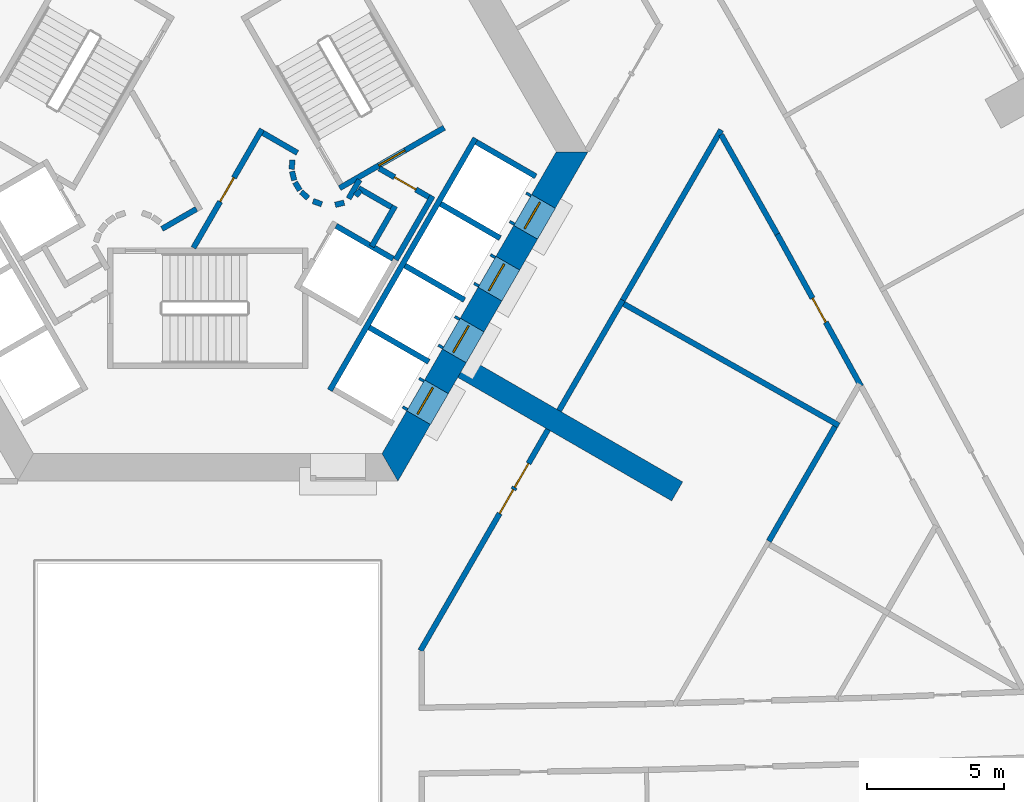
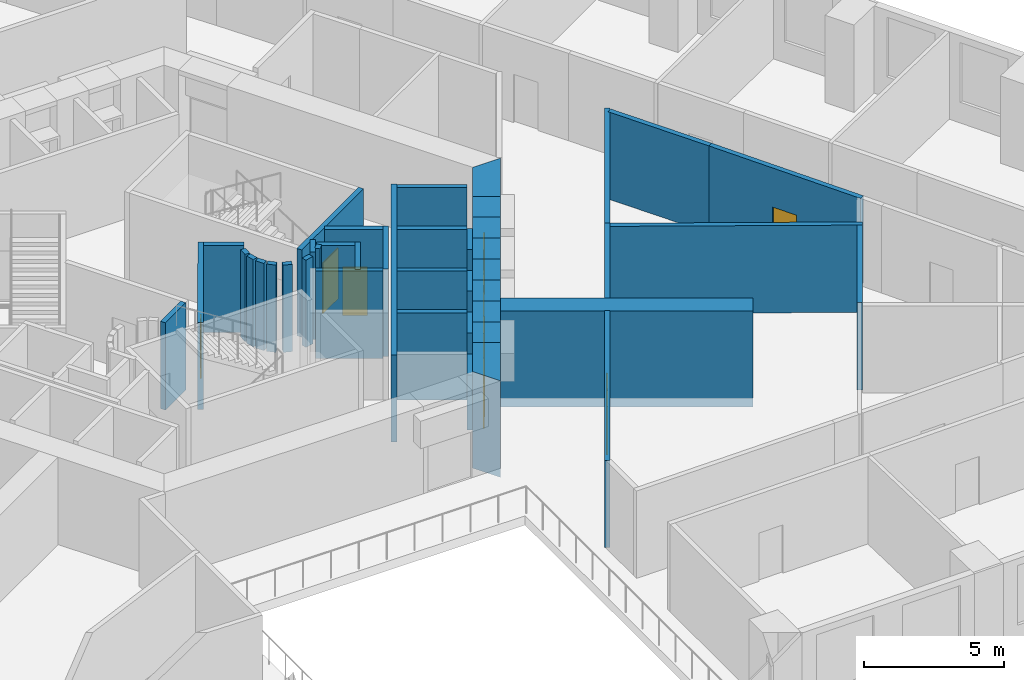
# One storey, part 7 of 16: 43 walls, 10 doors, 10 openings.
"""IFC4 building model written with IfcOpenShell, lengths in metres."""

from ifc_helpers import new_model, si_unit, direction, frame, frame_2d, origin, place, context, subcontext, project, spatial, polyline, rectangle, outline, extrude, material, layer, layer_set, type_object, element, fill, save


model = new_model("IFC4")

# Units and contexts
model_context = context("Model", 3, precision=1e-05, world=origin(), true_north=direction((0.0, 1.0)))
body_context = subcontext(model_context, "Body", "Model", "MODEL_VIEW")
ifc_project = project(units=[si_unit("LENGTHUNIT", "METRE"), si_unit("AREAUNIT", "SQUARE_METRE"), si_unit("VOLUMEUNIT", "CUBIC_METRE"), si_unit("PLANEANGLEUNIT", "RADIAN"), si_unit("MASSUNIT", "GRAM", prefix="KILO")], contexts=[model_context])

# Site, building, storey
site_placement = place(None, origin())
site = spatial("IfcSite", under=ifc_project, at=site_placement, CompositionType="ELEMENT")
building_placement = place(site_placement, origin())
building = spatial("IfcBuilding", under=site, at=building_placement, Name="Entoto Arch Interchange Tower", CompositionType="ELEMENT")
storey_placement = place(building_placement, frame((0.0, 0.0, 43.39990234375)))
storey = spatial("IfcBuildingStorey", under=building, at=storey_placement, Name="L08", CompositionType="ELEMENT", Elevation=43.39990234375)

# Walls
ifc_material_1 = material(Name="Concrete C60/75", Category="concrete")
ifc_layer_1 = layer(ifc_material_1, 0.800048828125)
ifc_layer_set_1 = layer_set([ifc_layer_1], Name="Concrete C60/75")
wall_type_1 = type_object("IfcWallType", Name="Buttress wall 800 C60/75", PredefinedType="SHEAR", material=ifc_layer_set_1)
wall_1_placement = place(storey_placement, frame((9.31005859375, -5.375, -0.39990234375), z_axis=(0.0, 0.0, 1.0), x_axis=(0.866017533419, -0.500013631625, 0.0)))
element("IfcWall", 1, at=wall_1_placement, inside=storey, type_object=wall_type_1, Name="Buttress wall SE L08", PredefinedType="SHEAR", context=body_context, shape_type="SweptSolid", body=[
    extrude(rectangle(XDim=8.999755859375, YDim=0.800048828125, at=frame_2d((4.5, 0.0))), origin(), (0.0, 0.0, 1.0), 4.199951171875),
])
ifc_layer_2 = layer(ifc_material_1, 1.0)
ifc_layer_set_2 = layer_set([ifc_layer_2], Name="Concrete C60/75")
wall_type_2 = type_object("IfcWallType", Name="Core wall 1000 C60/75", PredefinedType="SHEAR", material=ifc_layer_set_2)
wall_2_placement = place(storey_placement, frame((0.0, 0.0, -0.39990234375)))
element("IfcWall", 2, at=wall_2_placement, inside=storey, type_object=wall_type_2, Name="Core wall SE L08", PredefinedType="SHEAR", context=body_context, shape_type="SweptSolid", body=[
    extrude(outline(polyline([(8.116943359375, -7.43994140625), (7.251953125, -6.93994140625), (6.35107421875, -8.5), (6.927978515625, -9.5), (8.116943359375, -7.43994140625)])), origin(), (0.0, 0.0, 1.0), 4.199951171875),
])
wall_3_placement = place(storey_placement, frame((0.0, 0.0, -0.39990234375)))
element("IfcWall", 3, at=wall_3_placement, inside=storey, type_object=wall_type_2, Name="Core wall SE L08", PredefinedType="SHEAR", context=body_context, shape_type="SweptSolid", body=[
    extrude(outline(polyline([(9.4169921875, -5.18896484375), (8.551025390625, -4.68896484375), (7.902099609375, -5.81396484375), (8.76708984375, -6.31396484375), (9.4169921875, -5.18896484375)])), origin(), (0.0, 0.0, 1.0), 4.199951171875),
])
wall_4_placement = place(storey_placement, frame((0.0, 0.0, -0.39990234375)))
element("IfcWall", 4, at=wall_4_placement, inside=storey, type_object=wall_type_2, Name="Core wall SE L08", PredefinedType="SHEAR", context=body_context, shape_type="SweptSolid", body=[
    extrude(outline(polyline([(10.717041015625, -2.93701171875), (9.85107421875, -2.43701171875), (9.200927734375, -3.56298828125), (10.06689453125, -4.06298828125), (10.717041015625, -2.93701171875)])), origin(), (0.0, 0.0, 1.0), 4.199951171875),
])
wall_5_placement = place(storey_placement, frame((0.0, 0.0, -0.39990234375)))
element("IfcWall", 5, at=wall_5_placement, inside=storey, type_object=wall_type_2, Name="Core wall SE L08", PredefinedType="SHEAR", context=body_context, shape_type="SweptSolid", body=[
    extrude(outline(polyline([(12.01708984375, -0.68603515625), (11.15087890625, -0.18603515625), (10.5009765625, -1.31103515625), (11.366943359375, -1.81103515625), (12.01708984375, -0.68603515625)])), origin(), (0.0, 0.0, 1.0), 4.199951171875),
])
wall_6_placement = place(storey_placement, frame((0.0, 0.0, -0.39990234375)))
element("IfcWall", 6, at=wall_6_placement, inside=storey, type_object=wall_type_2, Name="Core wall SE L08", PredefinedType="SHEAR", context=body_context, shape_type="SweptSolid", body=[
    extrude(outline(polyline([(11.801025390625, 0.93994140625), (12.6669921875, 0.43994140625), (13.85595703125, 2.5), (12.701904296875, 2.5), (11.801025390625, 0.93994140625)])), origin(), (0.0, 0.0, 1.0), 4.199951171875),
])
wall_7_placement = place(storey_placement, frame((0.0, 0.0, 3.60009765625)))
element("IfcWall", 7, at=wall_7_placement, inside=storey, type_object=wall_type_2, Name="Core wall lintel SE L08", PredefinedType="SHEAR", context=body_context, shape_type="SweptSolid", body=[
    extrude(outline(polyline([(8.76708984375, -6.31396484375), (7.902099609375, -5.81396484375), (7.251953125, -6.93994140625), (8.116943359375, -7.43994140625), (8.76708984375, -6.31396484375)])), origin(), (0.0, 0.0, 1.0), 0.199951171875),
])
wall_8_placement = place(storey_placement, frame((0.0, 0.0, 3.60009765625)))
element("IfcWall", 8, at=wall_8_placement, inside=storey, type_object=wall_type_2, Name="Core wall lintel SE L08", PredefinedType="SHEAR", context=body_context, shape_type="SweptSolid", body=[
    extrude(outline(polyline([(10.06689453125, -4.06298828125), (9.200927734375, -3.56298828125), (8.551025390625, -4.68896484375), (9.4169921875, -5.18896484375), (10.06689453125, -4.06298828125)])), origin(), (0.0, 0.0, 1.0), 0.199951171875),
])
wall_9_placement = place(storey_placement, frame((0.0, 0.0, 3.60009765625)))
element("IfcWall", 9, at=wall_9_placement, inside=storey, type_object=wall_type_2, Name="Core wall lintel SE L08", PredefinedType="SHEAR", context=body_context, shape_type="SweptSolid", body=[
    extrude(outline(polyline([(11.366943359375, -1.81103515625), (10.5009765625, -1.31103515625), (9.85107421875, -2.43701171875), (10.717041015625, -2.93701171875), (11.366943359375, -1.81103515625)])), origin(), (0.0, 0.0, 1.0), 0.199951171875),
])
wall_10_placement = place(storey_placement, frame((0.0, 0.0, 3.60009765625)))
element("IfcWall", 10, at=wall_10_placement, inside=storey, type_object=wall_type_2, Name="Core wall lintel SE L08", PredefinedType="SHEAR", context=body_context, shape_type="SweptSolid", body=[
    extrude(outline(polyline([(12.6669921875, 0.43994140625), (11.801025390625, 0.93994140625), (11.15087890625, -0.18603515625), (12.01708984375, -0.68603515625), (12.6669921875, 0.43994140625)])), origin(), (0.0, 0.0, 1.0), 0.199951171875),
])

# Wall, opening, door
ifc_material_2 = material(Name="Concrete C40/50", Category="concrete")
ifc_layer_3 = layer(ifc_material_2, 1.199951171875)
ifc_layer_set_3 = layer_set([ifc_layer_3], Name="Concrete C40/50")
wall_type_3 = type_object("IfcWallType", Name="LIFT LANDING INFILL WALL", PredefinedType="STANDARD", material=ifc_layer_set_3)
wall_11_placement = place(storey_placement, frame((7.597900390625, -7.139892578125, 0.0), z_axis=(0.0, 0.0, 1.0), x_axis=(0.500362116554, 0.865816234728, 0.0)))
wall_11 = element("IfcWall", 11, at=wall_11_placement, inside=storey, type_object=wall_type_3, Name="Lift landing infill wall LR5 L08", PredefinedType="STANDARD", context=body_context, shape_type="SweptSolid", body=[
    extrude(rectangle(XDim=1.29931640625, YDim=1.199951171875, at=frame_2d((0.649658203125, 0.0))), origin(), (0.0, 0.0, 1.0), 2.400146484375),
])
opening_1_placement = place(wall_11_placement, frame((0.10009765625, 0.0, 0.0)))
opening_1 = element("IfcOpeningElement", 12, at=opening_1_placement, cuts=wall_11, Name="Opening LD-LR5-L08", PredefinedType="OPENING", context=body_context, shape_type="SweptSolid", body=[
    extrude(rectangle(XDim=1.10009765625, YDim=2.300048828125, at=frame_2d((0.550048828125, 1.14990234375))), frame((0.0, 0.60986328125, 0.0), z_axis=(0.0, -1.0, 0.0), x_axis=(1.0, 0.0, 0.0)), (0.0, 0.0, 1.0), 1.219970703125),
])
ifc_material_3 = material(Name="Stainless steel 1.4301 panels", Category="steel")
door_type_1 = type_object("IfcDoorType", Name="LIFT LANDING DOOR LD2 1100x2300", OperationType="SLIDING_TO_LEFT", PredefinedType="DOOR", material=ifc_material_3)
door_1_placement = place(opening_1_placement, origin())
door_1 = element("IfcDoor", 13, at=door_1_placement, inside=storey, type_object=door_type_1, Name="Lift landing door LR5 L08", OperationType="SLIDING_TO_LEFT", OverallHeight=2.300048828125, OverallWidth=1.10009765625, PredefinedType="DOOR", context=body_context, shape_type="SweptSolid", body=[
    extrude(rectangle(XDim=1.10009765625, YDim=2.300048828125, at=frame_2d((0.550048828125, 1.14990234375))), frame((0.0, 0.02490234375, 0.0), z_axis=(0.0, -1.0, 0.0), x_axis=(1.0, 0.0, 0.0)), (0.0, 0.0, 1.0), 0.050048828125),
])
fill(opening_1, door_1)

wall_12_placement = place(storey_placement, frame((8.89794921875, -4.888916015625, 0.0), z_axis=(0.0, 0.0, 1.0), x_axis=(0.500036693733, 0.866004217611, 0.0)))
wall_12 = element("IfcWall", 14, at=wall_12_placement, inside=storey, type_object=wall_type_3, Name="Lift landing infill wall LR6 L08", PredefinedType="STANDARD", context=body_context, shape_type="SweptSolid", body=[
    extrude(rectangle(XDim=1.30029296875, YDim=1.199951171875, at=frame_2d((0.650146484375, 0.0))), origin(), (0.0, 0.0, 1.0), 2.400146484375),
])
opening_2_placement = place(wall_12_placement, frame((0.10009765625, 0.0, 0.0)))
opening_2 = element("IfcOpeningElement", 15, at=opening_2_placement, cuts=wall_12, Name="Opening LD-LR6-L08", PredefinedType="OPENING", context=body_context, shape_type="SweptSolid", body=[
    extrude(rectangle(XDim=1.10009765625, YDim=2.300048828125, at=frame_2d((0.550048828125, 1.14990234375))), frame((0.0, 0.60986328125, 0.0), z_axis=(0.0, -1.0, 0.0), x_axis=(1.0, 0.0, 0.0)), (0.0, 0.0, 1.0), 1.219970703125),
])
door_2_placement = place(opening_2_placement, origin())
door_2 = element("IfcDoor", 16, at=door_2_placement, inside=storey, type_object=door_type_1, Name="Lift landing door LR6 L08", OperationType="SLIDING_TO_LEFT", OverallHeight=2.300048828125, OverallWidth=1.10009765625, PredefinedType="DOOR", context=body_context, shape_type="SweptSolid", body=[
    extrude(rectangle(XDim=1.10009765625, YDim=2.300048828125, at=frame_2d((0.550048828125, 1.14990234375))), frame((0.0, 0.02490234375, 0.0), z_axis=(0.0, -1.0, 0.0), x_axis=(1.0, 0.0, 0.0)), (0.0, 0.0, 1.0), 0.050048828125),
])
fill(opening_2, door_2)

wall_13_placement = place(storey_placement, frame((10.197998046875, -2.636962890625, 0.0), z_axis=(0.0, 0.0, 1.0), x_axis=(0.49989585183, 0.866085525409, 0.0)))
wall_13 = element("IfcWall", 17, at=wall_13_placement, inside=storey, type_object=wall_type_3, Name="Lift landing infill wall LR7 L08", PredefinedType="STANDARD", context=body_context, shape_type="SweptSolid", body=[
    extrude(rectangle(XDim=1.300048828125, YDim=1.199951171875, at=frame_2d((0.64990234375, 0.0))), origin(), (0.0, 0.0, 1.0), 2.400146484375),
])
opening_3_placement = place(wall_13_placement, frame((0.10009765625, 0.0, 0.0)))
opening_3 = element("IfcOpeningElement", 18, at=opening_3_placement, cuts=wall_13, Name="Opening LD-LR7-L08", PredefinedType="OPENING", context=body_context, shape_type="SweptSolid", body=[
    extrude(rectangle(XDim=1.10009765625, YDim=2.300048828125, at=frame_2d((0.550048828125, 1.14990234375))), frame((0.0, 0.60986328125, 0.0), z_axis=(0.0, -1.0, 0.0), x_axis=(1.0, 0.0, 0.0)), (0.0, 0.0, 1.0), 1.219970703125),
])
door_3_placement = place(opening_3_placement, origin())
door_3 = element("IfcDoor", 19, at=door_3_placement, inside=storey, type_object=door_type_1, Name="Lift landing door LR7 L08", OperationType="SLIDING_TO_LEFT", OverallHeight=2.300048828125, OverallWidth=1.10009765625, PredefinedType="DOOR", context=body_context, shape_type="SweptSolid", body=[
    extrude(rectangle(XDim=1.10009765625, YDim=2.300048828125, at=frame_2d((0.550048828125, 1.14990234375))), frame((0.0, 0.02490234375, 0.0), z_axis=(0.0, -1.0, 0.0), x_axis=(1.0, 0.0, 0.0)), (0.0, 0.0, 1.0), 0.050048828125),
])
fill(opening_3, door_3)

wall_14_placement = place(storey_placement, frame((11.498046875, -0.385009765625, 0.0), z_axis=(0.0, 0.0, 1.0), x_axis=(0.500221244143, 0.865897630733, 0.0)))
wall_14 = element("IfcWall", 20, at=wall_14_placement, inside=storey, type_object=wall_type_3, Name="Lift landing infill wall LR8 L08", PredefinedType="STANDARD", context=body_context, shape_type="SweptSolid", body=[
    extrude(rectangle(XDim=1.29931640625, YDim=1.199951171875, at=frame_2d((0.649658203125, 0.0))), origin(), (0.0, 0.0, 1.0), 2.400146484375),
])
opening_4_placement = place(wall_14_placement, frame((0.10009765625, 0.0, 0.0)))
opening_4 = element("IfcOpeningElement", 21, at=opening_4_placement, cuts=wall_14, Name="Opening LD-LR8-L08", PredefinedType="OPENING", context=body_context, shape_type="SweptSolid", body=[
    extrude(rectangle(XDim=1.10009765625, YDim=2.300048828125, at=frame_2d((0.550048828125, 1.14990234375))), frame((0.0, 0.60986328125, 0.0), z_axis=(0.0, -1.0, 0.0), x_axis=(1.0, 0.0, 0.0)), (0.0, 0.0, 1.0), 1.219970703125),
])
door_4_placement = place(opening_4_placement, origin())
door_4 = element("IfcDoor", 22, at=door_4_placement, inside=storey, type_object=door_type_1, Name="Lift landing door LR8 L08", OperationType="SLIDING_TO_LEFT", OverallHeight=2.300048828125, OverallWidth=1.10009765625, PredefinedType="DOOR", context=body_context, shape_type="SweptSolid", body=[
    extrude(rectangle(XDim=1.10009765625, YDim=2.300048828125, at=frame_2d((0.550048828125, 1.14990234375))), frame((0.0, 0.02490234375, 0.0), z_axis=(0.0, -1.0, 0.0), x_axis=(1.0, 0.0, 0.0)), (0.0, 0.0, 1.0), 0.050048828125),
])
fill(opening_4, door_4)

# Walls
ifc_layer_4 = layer(ifc_material_2, 0.199951171875)
ifc_layer_set_4 = layer_set([ifc_layer_4], Name="Concrete C40/50")
wall_type_4 = type_object("IfcWallType", Name="LIFT SHAFT WALL 200", PredefinedType="STANDARD", material=ifc_layer_set_4)
wall_15_placement = place(storey_placement, frame((4.677001953125, -0.199951171875, 0.0), z_axis=(0.0, 0.0, 1.0), x_axis=(0.865973769406, -0.500089422704, 0.0)))
element("IfcWall", 23, at=wall_15_placement, inside=storey, type_object=wall_type_4, Name="Shaft wall SE1 cross 2", PredefinedType="STANDARD", context=body_context, shape_type="SweptSolid", body=[
    extrude(rectangle(XDim=2.3994140625, YDim=0.199951171875, at=frame_2d((1.19970703125, 0.0))), origin(), (0.0, 0.0, 1.0), 3.800048828125),
])
wall_16_placement = place(storey_placement, frame((4.450927734375, -6.18994140625, 0.0), z_axis=(0.0, 0.0, 1.0), x_axis=(0.50000090737, 0.866024879913, 0.0)))
element("IfcWall", 24, at=wall_16_placement, inside=storey, type_object=wall_type_4, Name="Shaft wall SE3 front", PredefinedType="STANDARD", context=body_context, shape_type="SweptSolid", body=[
    extrude(rectangle(XDim=10.60009765625, YDim=0.199951171875, at=frame_2d((5.300048828125, 0.0))), origin(), (0.0, 0.0, 1.0), 3.800048828125),
])
for number, where, z_axis, x_axis, name in (
    (25, (5.887939453125, -3.902099609375, 0.0), (0.0, 0.0, 1.0), (0.866022959057, -0.500004234368, 0.0), "Shaft wall SE3 cross 2"),
    (26, (7.18798828125, -1.64990234375, 0.0), (0.0, 0.0, 1.0), (0.866022959057, -0.500004234368, 0.0), "Shaft wall SE3 cross 3"),
    (27, (8.488037109375, 0.60205078125, 0.0), (0.0, 0.0, 1.0), (0.866022959057, -0.500004234368, 0.0), "Shaft wall SE3 cross 4"),
):
    element("IfcWall", number, at=place(storey_placement, frame(where, z_axis=z_axis, x_axis=x_axis)), inside=storey, type_object=wall_type_4, Name=name, PredefinedType="STANDARD", context=body_context, shape_type="SweptSolid", body=[
        extrude(rectangle(XDim=2.5, YDim=0.199951171875, at=frame_2d((1.25, 0.0))), origin(), (0.0, 0.0, 1.0), 3.800048828125),
    ])
wall_17_placement = place(storey_placement, frame((9.7880859375, 2.85302734375, 0.0), z_axis=(0.0, 0.0, 1.0), x_axis=(0.865998541277, -0.500046524342, 0.0)))
element("IfcWall", 28, at=wall_17_placement, inside=storey, type_object=wall_type_4, Name="Shaft wall SE3 cross 5", PredefinedType="STANDARD", context=body_context, shape_type="SweptSolid", body=[
    extrude(rectangle(XDim=2.499755859375, YDim=0.199951171875, at=frame_2d((1.25, 0.0))), origin(), (0.0, 0.0, 1.0), 3.800048828125),
])

# Wall, opening, door
ifc_material_4 = material(Name="Gypsum board partition on steel studs", Category="steel")
ifc_layer_5 = layer(ifc_material_4, 0.199951171875)
ifc_layer_set_5 = layer_set([ifc_layer_5], Name="Gypsum board partition on steel studs")
wall_type_5 = type_object("IfcWallType", Name="PARTITION 200", PredefinedType="PARTITIONING", material=ifc_layer_set_5)
wall_18_placement = place(storey_placement, frame((23.802978515625, -6.0439453125, 0.0), z_axis=(0.0, 0.0, 1.0), x_axis=(-0.482588436287, 0.875847247619, 0.0)))
wall_18 = element("IfcWall", 29, at=wall_18_placement, inside=storey, type_object=wall_type_5, Name="wall:L08:p016", PredefinedType="PARTITIONING", context=body_context, shape_type="SweptSolid", body=[
    extrude(rectangle(XDim=6.32421875, YDim=0.199951171875, at=frame_2d((3.162109375, 0.0))), origin(), (0.0, 0.0, 1.0), 3.800048828125),
])
opening_5_placement = place(wall_18_placement, frame((2.662109375, 0.0, 0.0)))
opening_5 = element("IfcOpeningElement", 30, at=opening_5_placement, cuts=wall_18, Name="Opening L08-D24", PredefinedType="OPENING", context=body_context, shape_type="SweptSolid", body=[
    extrude(rectangle(XDim=1.0, YDim=2.10009765625, at=frame_2d((0.5, 1.050048828125))), frame((0.0, 0.10986328125, 0.0), z_axis=(0.0, -1.0, 0.0), x_axis=(1.0, 0.0, 0.0)), (0.0, 0.0, 1.0), 0.219970703125),
])
ifc_material_5 = material(Name="Timber door leaf in Steel S235 frame", Category="steel")
door_type_2 = type_object("IfcDoorType", Name="DOOR DS-10 1000x2100", OperationType="SINGLE_SWING_LEFT", PredefinedType="DOOR", material=ifc_material_5)
door_5_placement = place(opening_5_placement, origin())
door_5 = element("IfcDoor", 31, at=door_5_placement, inside=storey, type_object=door_type_2, Name="door:L08:24", OperationType="SINGLE_SWING_LEFT", OverallHeight=2.10009765625, OverallWidth=1.0, PredefinedType="DOOR", context=body_context, shape_type="SweptSolid", body=[
    extrude(rectangle(XDim=1.0, YDim=2.10009765625, at=frame_2d((0.5, 1.050048828125))), frame((0.0, 0.02490234375, 0.0), z_axis=(0.0, -1.0, 0.0), x_axis=(1.0, 0.0, 0.0)), (0.0, 0.0, 1.0), 0.050048828125),
])
fill(opening_5, door_5)

# Walls
wall_19_placement = place(storey_placement, frame((20.7509765625, -0.5048828125, 0.0), z_axis=(0.0, 0.0, 1.0), x_axis=(-0.491284712602, 0.870999041999, 0.0)))
element("IfcWall", 32, at=wall_19_placement, inside=storey, type_object=wall_type_5, Name="wall:L08:p017", PredefinedType="PARTITIONING", context=body_context, shape_type="SweptSolid", body=[
    extrude(rectangle(XDim=4.166259765625, YDim=0.199951171875, at=frame_2d((2.0830078125, 0.0))), origin(), (0.0, 0.0, 1.0), 3.800048828125),
])
wall_20_placement = place(storey_placement, frame((5.389892578125, 0.89794921875, 0.0), z_axis=(0.0, 0.0, 1.0), x_axis=(0.673828488714, 0.738887791073, 0.0)))
element("IfcWall", 33, at=wall_20_placement, inside=storey, type_object=wall_type_5, Name="wall:L08:p073", PredefinedType="PARTITIONING", context=body_context, shape_type="SweptSolid", body=[
    extrude(rectangle(XDim=0.2626953125, YDim=0.199951171875, at=frame_2d((0.13134765625, 0.0))), origin(), (0.0, 0.0, 1.0), 3.800048828125),
])
wall_21_placement = place(storey_placement, frame((5.4990234375, 1.172119140625, 0.0), z_axis=(0.0, 0.0, 1.0), x_axis=(0.866333505267, -0.499465972466, 0.0)))
element("IfcWall", 34, at=wall_21_placement, inside=storey, type_object=wall_type_5, Name="wall:L08:p074", PredefinedType="PARTITIONING", context=body_context, shape_type="SweptSolid", body=[
    extrude(rectangle(XDim=1.37353515625, YDim=0.199951171875, at=frame_2d((0.686767578125, 0.0))), origin(), (0.0, 0.0, 1.0), 3.800048828125),
])
wall_22_placement = place(storey_placement, frame((6.825927734375, 0.52197265625, 0.0), z_axis=(0.0, 0.0, 1.0), x_axis=(-0.500016722714, -0.866015748706, 0.0)))
element("IfcWall", 35, at=wall_22_placement, inside=storey, type_object=wall_type_5, Name="wall:L08:p075", PredefinedType="PARTITIONING", context=body_context, shape_type="SweptSolid", body=[
    extrude(rectangle(XDim=1.69970703125, YDim=0.199951171875, at=frame_2d((0.849853515625, 0.0))), origin(), (0.0, 0.0, 1.0), 3.800048828125),
])

# Wall, opening, door
wall_23_placement = place(storey_placement, frame((6.25, 1.89404296875, 0.0), z_axis=(0.0, 0.0, 1.0), x_axis=(0.866043184279, -0.499969202016, 0.0)))
wall_23 = element("IfcWall", 36, at=wall_23_placement, inside=storey, type_object=wall_type_5, Name="wall:L08:p076", PredefinedType="PARTITIONING", context=body_context, shape_type="SweptSolid", body=[
    extrude(rectangle(XDim=2.084228515625, YDim=0.199951171875, at=frame_2d((1.0419921875, 0.0))), origin(), (0.0, 0.0, 1.0), 3.800048828125),
])
opening_6_placement = place(wall_23_placement, frame((0.64208984375, 0.0, 0.0)))
opening_6 = element("IfcOpeningElement", 37, at=opening_6_placement, cuts=wall_23, Name="Opening L08-D40", PredefinedType="OPENING", context=body_context, shape_type="SweptSolid", body=[
    extrude(rectangle(XDim=0.89990234375, YDim=2.10009765625, at=frame_2d((0.449951171875, 1.050048828125))), frame((0.0, 0.10986328125, 0.0), z_axis=(0.0, -1.0, 0.0), x_axis=(1.0, 0.0, 0.0)), (0.0, 0.0, 1.0), 0.219970703125),
])
door_type_3 = type_object("IfcDoorType", Name="DOOR DS-09 900x2100", OperationType="SINGLE_SWING_LEFT", PredefinedType="DOOR", material=ifc_material_5)
door_6_placement = place(opening_6_placement, origin())
door_6 = element("IfcDoor", 38, at=door_6_placement, inside=storey, type_object=door_type_3, Name="door:L08:40", OperationType="SINGLE_SWING_LEFT", OverallHeight=2.10009765625, OverallWidth=0.89990234375, PredefinedType="DOOR", context=body_context, shape_type="SweptSolid", body=[
    extrude(rectangle(XDim=0.89990234375, YDim=2.10009765625, at=frame_2d((0.449951171875, 1.050048828125))), frame((0.0, 0.02490234375, 0.0), z_axis=(0.0, -1.0, 0.0), x_axis=(1.0, 0.0, 0.0)), (0.0, 0.0, 1.0), 0.050048828125),
])
fill(opening_6, door_6)

# Walls
wall_24_placement = place(storey_placement, frame((8.19189453125, 0.887939453125, 0.0), z_axis=(0.0, 0.0, 1.0), x_axis=(-0.499940625693, -0.866059680843, 0.0)))
element("IfcWall", 39, at=wall_24_placement, inside=storey, type_object=wall_type_5, Name="wall:L08:p077", PredefinedType="PARTITIONING", context=body_context, shape_type="SweptSolid", body=[
    extrude(rectangle(XDim=2.679931640625, YDim=0.199951171875, at=frame_2d((1.33984375, 0.0))), origin(), (0.0, 0.0, 1.0), 3.800048828125),
])
wall_25_placement = place(storey_placement, frame((5.135009765625, 0.79296875, 0.0), z_axis=(0.0, 0.0, 1.0), x_axis=(0.499526442893, 0.866298639529, 0.0)))
element("IfcWall", 40, at=wall_25_placement, inside=storey, type_object=wall_type_5, Name="wall:L08:p078", PredefinedType="PARTITIONING", context=body_context, shape_type="SweptSolid", body=[
    extrude(rectangle(XDim=0.790771484375, YDim=0.199951171875, at=frame_2d((0.3955078125, 0.0))), origin(), (0.0, 0.0, 1.0), 3.800048828125),
])

# Wall, opening, door
wall_26_placement = place(storey_placement, frame((-0.52001953125, -1.0, 0.0), z_axis=(0.0, 0.0, 1.0), x_axis=(0.50011622646, 0.865958290007, 0.0)))
wall_26 = element("IfcWall", 41, at=wall_26_placement, inside=storey, type_object=wall_type_5, Name="wall:L08:p088", PredefinedType="PARTITIONING", context=body_context, shape_type="SweptSolid", body=[
    extrude(rectangle(XDim=4.990966796875, YDim=0.199951171875, at=frame_2d((2.49560546875, 0.0))), origin(), (0.0, 0.0, 1.0), 3.800048828125),
])
opening_7_placement = place(wall_26_placement, frame((1.945068359375, 0.0, 0.0)))
opening_7 = element("IfcOpeningElement", 42, at=opening_7_placement, cuts=wall_26, Name="Opening L08-D38", PredefinedType="OPENING", context=body_context, shape_type="SweptSolid", body=[
    extrude(rectangle(XDim=1.0, YDim=2.10009765625, at=frame_2d((0.5, 1.050048828125))), frame((0.0, 0.10986328125, 0.0), z_axis=(0.0, -1.0, 0.0), x_axis=(1.0, 0.0, 0.0)), (0.0, 0.0, 1.0), 0.219970703125),
])
ifc_material_6 = material(Name="Fire-rated Steel S235 door and frame", Category="steel")
door_type_4 = type_object("IfcDoorType", Name="DOOR FD-10 1000x2100", OperationType="SINGLE_SWING_LEFT", PredefinedType="DOOR", material=ifc_material_6)
door_7_placement = place(opening_7_placement, origin())
door_7 = element("IfcDoor", 43, at=door_7_placement, inside=storey, type_object=door_type_4, Name="door:L08:38", OperationType="SINGLE_SWING_LEFT", OverallHeight=2.10009765625, OverallWidth=1.0, PredefinedType="DOOR", context=body_context, shape_type="SweptSolid", body=[
    extrude(rectangle(XDim=1.0, YDim=2.10009765625, at=frame_2d((0.5, 1.050048828125))), frame((0.0, 0.02490234375, 0.0), z_axis=(0.0, -1.0, 0.0), x_axis=(1.0, 0.0, 0.0)), (0.0, 0.0, 1.0), 0.050048828125),
])
fill(opening_7, door_7)

# Walls
wall_27_placement = place(storey_placement, frame((2.011962890625, 3.18603515625, 0.0), z_axis=(0.0, 0.0, 1.0), x_axis=(0.865891012941, -0.500232699559, 0.0)))
element("IfcWall", 44, at=wall_27_placement, inside=storey, type_object=wall_type_5, Name="wall:L08:p089", PredefinedType="PARTITIONING", context=body_context, shape_type="SweptSolid", body=[
    extrude(rectangle(XDim=1.449462890625, YDim=0.199951171875, at=frame_2d((0.724609375, 0.0))), origin(), (0.0, 0.0, 1.0), 3.800048828125),
])
wall_28_placement = place(storey_placement, frame((3.0791015625, 2.198974609375, 0.0), z_axis=(0.0, 0.0, 1.0), x_axis=(-0.047771483479, -0.998858290933, 0.0)))
element("IfcWall", 45, at=wall_28_placement, inside=storey, type_object=wall_type_5, Name="wall:L08:p090", PredefinedType="PARTITIONING", context=body_context, shape_type="SweptSolid", body=[
    extrude(rectangle(XDim=0.33740234375, YDim=0.199951171875, at=frame_2d((0.168701171875, 0.0))), origin(), (0.0, 0.0, 1.0), 3.800048828125),
])
wall_29_placement = place(storey_placement, frame((3.070068359375, 1.785888671875, 0.0), z_axis=(0.0, 0.0, 1.0), x_axis=(0.242705583207, -0.970099994784, 0.0)))
element("IfcWall", 46, at=wall_29_placement, inside=storey, type_object=wall_type_5, Name="wall:L08:p091", PredefinedType="PARTITIONING", context=body_context, shape_type="SweptSolid", body=[
    extrude(rectangle(XDim=0.337890625, YDim=0.199951171875, at=frame_2d((0.1689453125, 0.0))), origin(), (0.0, 0.0, 1.0), 3.800048828125),
])
for number, where, z_axis, x_axis, name in (
    (47, (3.181884765625, 1.387939453125, 0.0), (0.0, 0.0, 1.0), (0.512474702713, -0.85870232274, 0.0), "wall:L08:p092"),
    (48, (3.404052734375, 1.0390625, 0.0), (0.0, 0.0, 1.0), (0.740267097712, -0.672312891476, 0.0), "wall:L08:p093"),
):
    element("IfcWall", number, at=place(storey_placement, frame(where, z_axis=z_axis, x_axis=x_axis)), inside=storey, type_object=wall_type_5, Name=name, PredefinedType="PARTITIONING", context=body_context, shape_type="SweptSolid", body=[
        extrude(rectangle(XDim=0.337646484375, YDim=0.199951171875, at=frame_2d((0.1689453125, 0.0))), origin(), (0.0, 0.0, 1.0), 3.800048828125),
    ])
wall_30_placement = place(storey_placement, frame((3.837890625, 0.701904296875, 0.0), z_axis=(0.0, 0.0, 1.0), x_axis=(0.941035081519, -0.338308993895, 0.0)))
element("IfcWall", 49, at=wall_30_placement, inside=storey, type_object=wall_type_5, Name="wall:L08:p094", PredefinedType="PARTITIONING", context=body_context, shape_type="SweptSolid", body=[
    extrude(rectangle(XDim=0.3369140625, YDim=0.199951171875, at=frame_2d((0.16845703125, 0.0))), origin(), (0.0, 0.0, 1.0), 3.800048828125),
])
wall_31_placement = place(storey_placement, frame((4.64404296875, 0.56396484375, 0.0), z_axis=(0.0, 0.0, 1.0), x_axis=(0.969929076366, 0.243387729394, 0.0)))
element("IfcWall", 50, at=wall_31_placement, inside=storey, type_object=wall_type_5, Name="wall:L08:p095", PredefinedType="PARTITIONING", context=body_context, shape_type="SweptSolid", body=[
    extrude(rectangle(XDim=0.337158203125, YDim=0.199951171875, at=frame_2d((0.16845703125, 0.0))), origin(), (0.0, 0.0, 1.0), 3.800048828125),
])
wall_32_placement = place(storey_placement, frame((-0.412109375, 0.4140625, 0.0), z_axis=(0.0, 0.0, 1.0), x_axis=(-0.866017369001, -0.500013916395, 0.0)))
element("IfcWall", 51, at=wall_32_placement, inside=storey, type_object=wall_type_5, Name="wall:L08:p097", PredefinedType="PARTITIONING", context=body_context, shape_type="SweptSolid", body=[
    extrude(rectangle(XDim=1.4501953125, YDim=0.199951171875, at=frame_2d((0.72509765625, 0.0))), origin(), (0.0, 0.0, 1.0), 3.800048828125),
])
wall_33_placement = place(storey_placement, frame((15.1220703125, -2.907958984375, 0.0), z_axis=(0.0, 0.0, 1.0), x_axis=(-0.499922740561, -0.866070004948, 0.0)))
element("IfcWall", 52, at=wall_33_placement, inside=storey, type_object=wall_type_5, Name="wall:L08:p111", PredefinedType="PARTITIONING", context=body_context, shape_type="SweptSolid", body=[
    extrude(rectangle(XDim=4.642822265625, YDim=0.199951171875, at=frame_2d((2.3212890625, 0.0))), origin(), (0.0, 0.0, 1.0), 3.800048828125),
])
wall_34_placement = place(storey_placement, frame((18.705078125, 3.298095703125, 0.0), z_axis=(0.0, 0.0, 1.0), x_axis=(-0.499993769413, -0.866029000986, 0.0)))
element("IfcWall", 53, at=wall_34_placement, inside=storey, type_object=wall_type_5, Name="wall:L08:p112", PredefinedType="PARTITIONING", context=body_context, shape_type="SweptSolid", body=[
    extrude(rectangle(XDim=7.166015625, YDim=0.199951171875, at=frame_2d((3.5830078125, 0.0))), origin(), (0.0, 0.0, 1.0), 3.800048828125),
])
wall_35_placement = place(storey_placement, frame((15.072021484375, -2.993896484375, 0.0), z_axis=(0.0, 0.0, 1.0), x_axis=(0.87054185148, -0.49209438609, 0.0)))
element("IfcWall", 54, at=wall_35_placement, inside=storey, type_object=wall_type_5, Name="wall:L08:p113", PredefinedType="PARTITIONING", context=body_context, shape_type="SweptSolid", body=[
    extrude(rectangle(XDim=9.099853515625, YDim=0.199951171875, at=frame_2d((4.5498046875, 0.0))), origin(), (0.0, 0.0, 1.0), 3.800048828125),
])
wall_36_placement = place(storey_placement, frame((22.85693359375, -7.510009765625, 0.0), z_axis=(0.0, 0.0, 1.0), x_axis=(-0.499954636112, -0.866051593054, 0.0)))
element("IfcWall", 55, at=wall_36_placement, inside=storey, type_object=wall_type_5, Name="wall:L08:p115", PredefinedType="PARTITIONING", context=body_context, shape_type="SweptSolid", body=[
    extrude(rectangle(XDim=4.82421875, YDim=0.199951171875, at=frame_2d((2.412109375, 0.0))), origin(), (0.0, 0.0, 1.0), 3.800048828125),
])

# Wall, openings, doors
wall_37_placement = place(storey_placement, frame((12.40087890625, -7.62109375, 0.0), z_axis=(0.0, 0.0, 1.0), x_axis=(-0.499983724212, -0.866034800411, 0.0)))
wall_37 = element("IfcWall", 56, at=wall_37_placement, inside=storey, type_object=wall_type_5, Name="wall:L08:p111", PredefinedType="PARTITIONING", context=body_context, shape_type="SweptSolid", body=[
    extrude(rectangle(XDim=9.302001953125, YDim=0.199951171875, at=frame_2d((4.65087890625, 0.0))), origin(), (0.0, 0.0, 1.0), 3.800048828125),
])
opening_8_placement = place(wall_37_placement, frame((1.428955078125, 0.0, 0.0)))
opening_8 = element("IfcOpeningElement", 57, at=opening_8_placement, cuts=wall_37, Name="Opening L08-D23", PredefinedType="OPENING", context=body_context, shape_type="SweptSolid", body=[
    extrude(rectangle(XDim=1.0, YDim=2.10009765625, at=frame_2d((0.5, 1.050048828125))), frame((0.0, 0.10986328125, 0.0), z_axis=(0.0, -1.0, 0.0), x_axis=(1.0, 0.0, 0.0)), (0.0, 0.0, 1.0), 0.219970703125),
])
opening_9_placement = place(wall_37_placement, frame((2.529052734375, 0.0, 0.0)))
opening_9 = element("IfcOpeningElement", 58, at=opening_9_placement, cuts=wall_37, Name="Opening L08-D42", PredefinedType="OPENING", context=body_context, shape_type="SweptSolid", body=[
    extrude(rectangle(XDim=1.0, YDim=2.10009765625, at=frame_2d((0.5, 1.050048828125))), frame((0.0, 0.10986328125, 0.0), z_axis=(0.0, -1.0, 0.0), x_axis=(1.0, 0.0, 0.0)), (0.0, 0.0, 1.0), 0.219970703125),
])
door_8_placement = place(opening_8_placement, origin())
door_8 = element("IfcDoor", 59, at=door_8_placement, inside=storey, type_object=door_type_2, Name="door:L08:23", OperationType="SINGLE_SWING_LEFT", OverallHeight=2.10009765625, OverallWidth=1.0, PredefinedType="DOOR", context=body_context, shape_type="SweptSolid", body=[
    extrude(rectangle(XDim=1.0, YDim=2.10009765625, at=frame_2d((0.5, 1.050048828125))), frame((0.0, 0.02490234375, 0.0), z_axis=(0.0, -1.0, 0.0), x_axis=(1.0, 0.0, 0.0)), (0.0, 0.0, 1.0), 0.050048828125),
])
fill(opening_8, door_8)
door_9_placement = place(opening_9_placement, origin())
door_9 = element("IfcDoor", 60, at=door_9_placement, inside=storey, type_object=door_type_2, Name="door:L08:42", OperationType="SINGLE_SWING_RIGHT", OverallHeight=2.10009765625, OverallWidth=1.0, PredefinedType="DOOR", context=body_context, shape_type="SweptSolid", body=[
    extrude(rectangle(XDim=1.0, YDim=2.10009765625, at=frame_2d((0.5, 1.050048828125))), frame((0.0, 0.02490234375, 0.0), z_axis=(0.0, -1.0, 0.0), x_axis=(1.0, 0.0, 0.0)), (0.0, 0.0, 1.0), 0.050048828125),
])
fill(opening_9, door_9)

# Wall, opening, door
ifc_layer_6 = layer(ifc_material_2, 0.199951171875)
ifc_layer_set_6 = layer_set([ifc_layer_6], Name="Concrete C40/50")
wall_type_6 = type_object("IfcWallType", Name="STAIR ENCLOSURE WALL 200", PredefinedType="STANDARD", material=ifc_layer_set_6)
wall_38_placement = place(storey_placement, frame((4.805908203125, 1.176025390625, 0.0), z_axis=(0.0, 0.0, 1.0), x_axis=(0.866059941101, 0.499940174841, 0.0)))
wall_38 = element("IfcWall", 61, at=wall_38_placement, inside=storey, type_object=wall_type_6, Name="Stair wall ST-NE near", PredefinedType="STANDARD", context=body_context, shape_type="SweptSolid", body=[
    extrude(rectangle(XDim=4.400390625, YDim=0.199951171875, at=frame_2d((2.2001953125, 0.0))), origin(), (0.0, 0.0, 1.0), 3.800048828125),
])
opening_10_placement = place(wall_38_placement, frame((1.64990234375, 0.0, 0.0)))
opening_10 = element("IfcOpeningElement", 62, at=opening_10_placement, cuts=wall_38, Name="Opening SD-ST-NE-L08-E", PredefinedType="OPENING", context=body_context, shape_type="SweptSolid", body=[
    extrude(rectangle(XDim=1.10009765625, YDim=2.199951171875, at=frame_2d((0.550048828125, 1.10009765625))), frame((0.0, 0.10986328125, 0.0), z_axis=(0.0, -1.0, 0.0), x_axis=(1.0, 0.0, 0.0)), (0.0, 0.0, 1.0), 0.219970703125),
])
ifc_material_7 = material(Name="Steel S235", Category="steel")
door_type_5 = type_object("IfcDoorType", Name="STAIR DOOR SD1 1100x2200", OperationType="SINGLE_SWING_LEFT", PredefinedType="DOOR", material=ifc_material_7)
door_10_placement = place(opening_10_placement, origin())
door_10 = element("IfcDoor", 63, at=door_10_placement, inside=storey, type_object=door_type_5, Name="Stair door ST-NE L08 end", OperationType="SINGLE_SWING_LEFT", OverallHeight=2.199951171875, OverallWidth=1.10009765625, PredefinedType="DOOR", context=body_context, shape_type="SweptSolid", body=[
    extrude(rectangle(XDim=1.10009765625, YDim=2.199951171875, at=frame_2d((0.550048828125, 1.10009765625))), frame((0.0, 0.02490234375, 0.0), z_axis=(0.0, -1.0, 0.0), x_axis=(1.0, 0.0, 0.0)), (0.0, 0.0, 1.0), 0.050048828125),
])
fill(opening_10, door_10)

save(model, "model.ifc")
